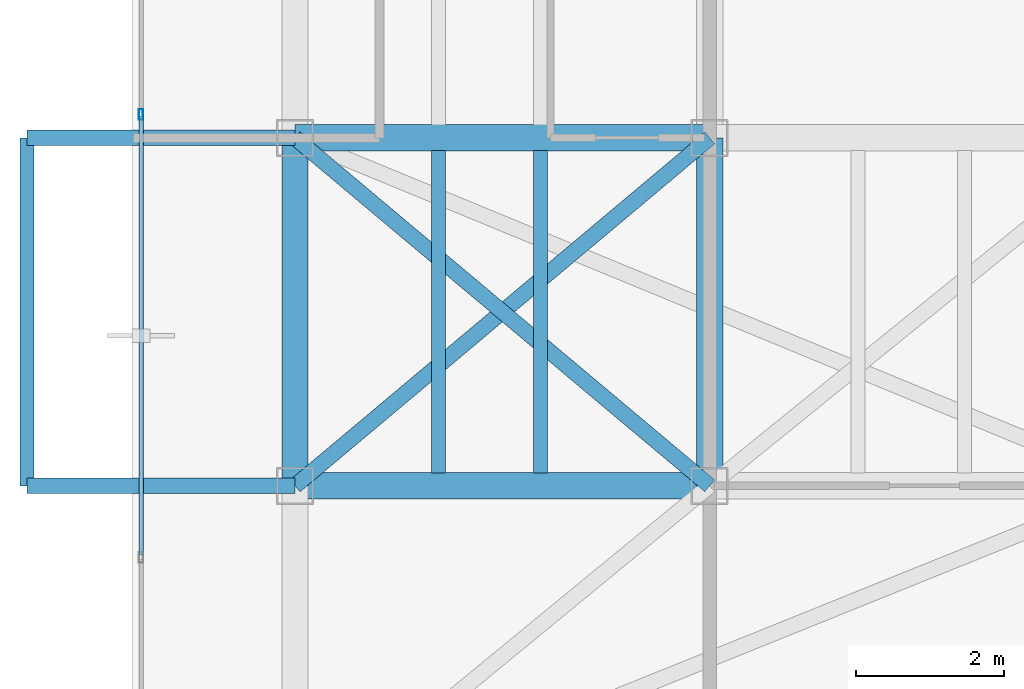
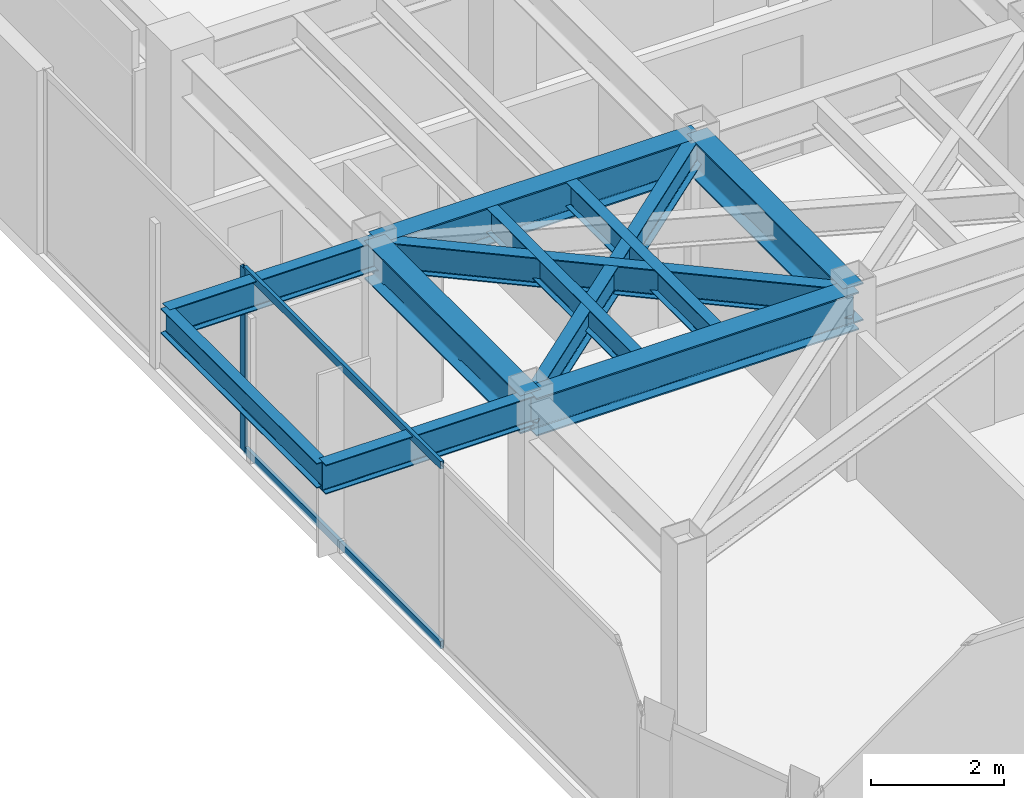
# One storey, part 5 of 20: 11 beams, 3 members, 1 element without a shape of its own.
"""IFC4 building model written with IfcOpenShell, lengths in metres."""

from ifc_helpers import new_model, si_unit, direction, frame, origin, origin_2d, place, context, subcontext, project, spatial, hollow_rectangle, i_section, extrude, material, layer, layer_set, material_profile, profile_set, type_object, element, aggregate, save


model = new_model("IFC4")

# Units and contexts
model_context = context("Model", 3, precision=1e-05, world=origin(), true_north=direction((0.0, 1.0)))
body_context = subcontext(model_context, "Body", "Model", "MODEL_VIEW")
ifc_project = project(units=[si_unit("LENGTHUNIT", "METRE"), si_unit("AREAUNIT", "SQUARE_METRE"), si_unit("VOLUMEUNIT", "CUBIC_METRE"), si_unit("PLANEANGLEUNIT", "RADIAN"), si_unit("MASSUNIT", "GRAM", prefix="KILO")], contexts=[model_context])

# Site, building, storey
site_placement = place(None, origin())
site = spatial("IfcSite", under=ifc_project, at=site_placement, CompositionType="ELEMENT")
building_placement = place(site_placement, origin())
building = spatial("IfcBuilding", under=site, at=building_placement, Name="Kravanh Interchange Tower", CompositionType="ELEMENT")
storey_placement = place(building_placement, frame((0.0, 0.0, 252.60009765625)))
storey = spatial("IfcBuildingStorey", under=building, at=storey_placement, Name="L61", CompositionType="ELEMENT", Elevation=252.60009765625)

# Curtain wall, members
ifc_material_1 = material(Name="Anodised Bronze Aluminium", Category="aluminium")
ifc_layer = layer(ifc_material_1, 0.179931640625)
ifc_layer_set = layer_set([ifc_layer], Name="Unitised Curtain Wall System CW-HTL Luxury Hotel")
curtain_wall_type = type_object("IfcCurtainWallType", Name="Unitised Curtain Wall System CW-HTL Luxury Hotel", PredefinedType="NOTDEFINED", material=ifc_layer_set)
curtain_wall_placement = place(storey_placement, origin())
curtain_wall = element("IfcCurtainWall", 1, at=curtain_wall_placement, inside=storey, type_object=curtain_wall_type, Name="L61 Unitised Curtain Wall CW-L61-01", PredefinedType="NOTDEFINED")
ifc_material_2 = material(Name="Anodised Bronze Aluminium", Category="aluminium")
ifc_material_profile_1 = material_profile(ifc_material_2, hollow_rectangle(XDim=0.06005859375, YDim=0.139892578125, WallThickness=0.00390625, at=origin_2d()), Name="ALU60X140X4")
ifc_profile_set_1 = profile_set([ifc_material_profile_1], Name="Anodised Bronze Aluminium")
member_type_1 = type_object("IfcMemberType", Name="Curtain Wall Mullion ALU60X140X4 Bronze", PredefinedType="MULLION", material=ifc_profile_set_1)
member_1_placement = place(storey_placement, frame((25.1201171875, 31.816650390625, 0.0), z_axis=(0.0, 0.0, 1.0), x_axis=(-1.0, 0.0, 0.0)))
member_1 = element("IfcMember", 2, at=member_1_placement, type_object=member_type_1, Name="CW-HTL mullion 3", PredefinedType="MULLION", context=body_context, shape_type="SweptSolid", body=[
    extrude(hollow_rectangle(XDim=0.06005859375, YDim=0.139892578125, WallThickness=0.00390625, at=origin_2d()), origin(), (0.0, 0.0, 1.0), 3.35986328125),
])
ifc_material_3 = material(Name="Anodised Bronze Aluminium", Category="aluminium")
ifc_material_profile_2 = material_profile(ifc_material_3, hollow_rectangle(XDim=0.06005859375, YDim=0.139892578125, WallThickness=0.00390625, at=origin_2d()), Name="ALU60X140X4")
ifc_profile_set_2 = profile_set([ifc_material_profile_2], Name="Anodised Bronze Aluminium")
member_type_2 = type_object("IfcMemberType", Name="Curtain Wall Transom ALU60X140X4 Bronze", PredefinedType="USERDEFINED", material=ifc_profile_set_2)
member_2_placement = place(storey_placement, frame((25.1201171875, 25.863037109375, 0.02978515625), z_axis=(0.0, 1.0, 0.0), x_axis=(-1.0, 0.0, 0.0)))
member_2 = element("IfcMember", 3, at=member_2_placement, type_object=member_type_2, Name="CW-HTL transom 2.1", ObjectType="TRANSOM", PredefinedType="USERDEFINED", context=body_context, shape_type="SweptSolid", body=[
    extrude(hollow_rectangle(XDim=0.06005859375, YDim=0.139892578125, WallThickness=0.00390625, at=origin_2d()), origin(), (0.0, 0.0, 1.0), 5.923583984375),
])
member_3_placement = place(storey_placement, frame((25.1201171875, 25.863037109375, 3.329833984375), z_axis=(0.0, 1.0, 0.0), x_axis=(-1.0, 0.0, 0.0)))
member_3 = element("IfcMember", 4, at=member_3_placement, type_object=member_type_2, Name="CW-HTL transom 2.2", ObjectType="TRANSOM", PredefinedType="USERDEFINED", context=body_context, shape_type="SweptSolid", body=[
    extrude(hollow_rectangle(XDim=0.06005859375, YDim=0.139892578125, WallThickness=0.00390625, at=origin_2d()), origin(), (0.0, 0.0, 1.0), 5.923583984375),
])
aggregate(curtain_wall, [member_1, member_2, member_3])

# Beams
ifc_material_4 = material(Name="Structural Steel S355", Category="steel")
ifc_material_profile_3 = material_profile(ifc_material_4, i_section(OverallWidth=0.35498046875, OverallDepth=0.696044921875, WebThickness=0.015380859375, FlangeThickness=0.02490234375, FilletRadius=0.02392578125, at=origin_2d()), Name="W27X146")
ifc_profile_set_3 = profile_set([ifc_material_profile_3], Name="Structural Steel S355")
beam_type_1 = type_object("IfcBeamType", Name="Floor Beam W27X146 Structural Steel S355", PredefinedType="BEAM", material=ifc_profile_set_3)
beam_1_placement = place(storey_placement, frame((32.800048828125, 31.5, 3.011962890625), z_axis=(0.0, -1.0, 0.0), x_axis=(1.0, 0.0, 0.0)))
element("IfcBeam", 5, at=beam_1_placement, inside=storey, type_object=beam_type_1, Name="L61 Primary Floor Girder 21", PredefinedType="BEAM", context=body_context, shape_type="SweptSolid", body=[
    extrude(i_section(OverallWidth=0.35498046875, OverallDepth=0.696044921875, WebThickness=0.015380859375, FlangeThickness=0.02490234375, FilletRadius=0.02392578125, at=origin_2d()), origin(), (0.0, 0.0, 1.0), 4.699951171875),
])
beam_2_placement = place(storey_placement, frame((32.800048828125, 31.5, 3.011962890625), z_axis=(-1.0, 0.0, 0.0), x_axis=(0.0, -1.0, 0.0)))
element("IfcBeam", 6, at=beam_2_placement, inside=storey, type_object=beam_type_1, Name="L61 Primary Floor Girder 22", PredefinedType="BEAM", context=body_context, shape_type="SweptSolid", body=[
    extrude(i_section(OverallWidth=0.35498046875, OverallDepth=0.696044921875, WebThickness=0.015380859375, FlangeThickness=0.02490234375, FilletRadius=0.02392578125, at=origin_2d()), origin(), (0.0, 0.0, 1.0), 5.60009765625),
])
beam_3_placement = place(storey_placement, frame((27.199951171875, 31.5, 3.011962890625), z_axis=(0.0, -1.0, 0.0), x_axis=(1.0, 0.0, 0.0)))
element("IfcBeam", 7, at=beam_3_placement, inside=storey, type_object=beam_type_1, Name="L61 Primary Floor Girder 25", PredefinedType="BEAM", context=body_context, shape_type="SweptSolid", body=[
    extrude(i_section(OverallWidth=0.35498046875, OverallDepth=0.696044921875, WebThickness=0.015380859375, FlangeThickness=0.02490234375, FilletRadius=0.02392578125, at=origin_2d()), origin(), (0.0, 0.0, 1.0), 4.699951171875),
])
beam_4_placement = place(storey_placement, frame((27.199951171875, 26.800048828125, 3.011962890625), z_axis=(1.0, 0.0, 0.0), x_axis=(0.0, 1.0, 0.0)))
element("IfcBeam", 8, at=beam_4_placement, inside=storey, type_object=beam_type_1, Name="L61 Primary Floor Girder 42", PredefinedType="BEAM", context=body_context, shape_type="SweptSolid", body=[
    extrude(i_section(OverallWidth=0.35498046875, OverallDepth=0.696044921875, WebThickness=0.015380859375, FlangeThickness=0.02490234375, FilletRadius=0.02392578125, at=origin_2d()), origin(), (0.0, 0.0, 1.0), 5.60009765625),
])
ifc_material_5 = material(Name="Structural Steel S355", Category="steel")
ifc_material_profile_4 = material_profile(ifc_material_5, i_section(OverallWidth=0.18994140625, OverallDepth=0.45703125, WebThickness=0.009033203125, FlangeThickness=0.014404296875, FilletRadius=0.01806640625, at=origin_2d()), Name="W18X50")
ifc_profile_set_4 = profile_set([ifc_material_profile_4], Name="Structural Steel S355")
beam_type_2 = type_object("IfcBeamType", Name="Floor Joist W18X50 Structural Steel S355", PredefinedType="JOIST", material=ifc_profile_set_4)
for number, where, z_axis, x_axis, name in (
    (9, (29.139892578125, 26.972412109375, 3.13134765625), (0.0, 1.0, 0.0), (-1.0, 0.0, 0.0), "L61 Secondary Floor Joist 3"),
    (10, (30.51611328125, 26.972412109375, 3.13134765625), (0.0, 1.0, 0.0), (-1.0, 0.0, 0.0), "L61 Secondary Floor Joist 4"),
):
    element("IfcBeam", number, at=place(storey_placement, frame(where, z_axis=z_axis, x_axis=x_axis)), inside=storey, type_object=beam_type_2, Name=name, PredefinedType="JOIST", context=body_context, shape_type="SweptSolid", body=[
        extrude(i_section(OverallWidth=0.18994140625, OverallDepth=0.45703125, WebThickness=0.009033203125, FlangeThickness=0.014404296875, FilletRadius=0.01806640625, at=origin_2d()), origin(), (0.0, 0.0, 1.0), 4.35498046875),
    ])
beam_5_placement = place(storey_placement, frame((23.580078125, 26.800048828125, 3.13134765625), z_axis=(0.0, 1.0, 0.0), x_axis=(-1.0, 0.0, 0.0)))
element("IfcBeam", 11, at=beam_5_placement, inside=storey, type_object=beam_type_2, Name="L61 Balcony Edge Tie Beam W", PredefinedType="JOIST", context=body_context, shape_type="SweptSolid", body=[
    extrude(i_section(OverallWidth=0.18994140625, OverallDepth=0.45703125, WebThickness=0.009033203125, FlangeThickness=0.014404296875, FilletRadius=0.01806640625, at=origin_2d()), origin(), (0.0, 0.0, 1.0), 4.699951171875),
])
ifc_material_6 = material(Name="Structural Steel S355", Category="steel")
ifc_material_profile_5 = material_profile(ifc_material_6, i_section(OverallWidth=0.2099609375, OverallDepth=0.537109375, WebThickness=0.010986328125, FlangeThickness=0.017333984375, FilletRadius=0.02001953125, at=origin_2d()), Name="W21X68")
ifc_profile_set_5 = profile_set([ifc_material_profile_5], Name="Structural Steel S355")
beam_type_3 = type_object("IfcBeamType", Name="Floor Spandrel W21X68 Structural Steel S355", PredefinedType="SPANDREL", material=ifc_profile_set_5)
for number, where, z_axis, x_axis, name in (
    (12, (32.800048828125, 31.5, 3.09130859375), (-0.765983062929, -0.642860752657, 0.0), (0.642860752657, -0.765983062929, 0.0), "L61 Perimeter Spandrel 24"),
    (13, (27.199951171875, 31.5, 3.09130859375), (0.765983062929, -0.642860752657, 0.0), (0.642860752657, 0.765983062929, 0.0), "L61 Perimeter Spandrel 27"),
):
    element("IfcBeam", number, at=place(storey_placement, frame(where, z_axis=z_axis, x_axis=x_axis)), inside=storey, type_object=beam_type_3, Name=name, PredefinedType="SPANDREL", context=body_context, shape_type="SweptSolid", body=[
        extrude(i_section(OverallWidth=0.2099609375, OverallDepth=0.537109375, WebThickness=0.010986328125, FlangeThickness=0.017333984375, FilletRadius=0.02001953125, at=origin_2d()), origin(), (0.0, 0.0, 1.0), 7.31103515625),
    ])
for number, where, z_axis, x_axis, name in (
    (14, (27.199951171875, 26.800048828125, 3.09130859375), (-1.0, 0.0, 0.0), (0.0, -1.0, 0.0), "L61 Balcony Cantilever Outrigger W1"),
    (15, (27.199951171875, 31.5, 3.09130859375), (-1.0, 0.0, 0.0), (0.0, -1.0, 0.0), "L61 Balcony Cantilever Outrigger W2"),
):
    element("IfcBeam", number, at=place(storey_placement, frame(where, z_axis=z_axis, x_axis=x_axis)), inside=storey, type_object=beam_type_3, Name=name, PredefinedType="SPANDREL", context=body_context, shape_type="SweptSolid", body=[
        extrude(i_section(OverallWidth=0.2099609375, OverallDepth=0.537109375, WebThickness=0.010986328125, FlangeThickness=0.017333984375, FilletRadius=0.02001953125, at=origin_2d()), origin(), (0.0, 0.0, 1.0), 3.619873046875),
    ])

save(model, "model.ifc")
